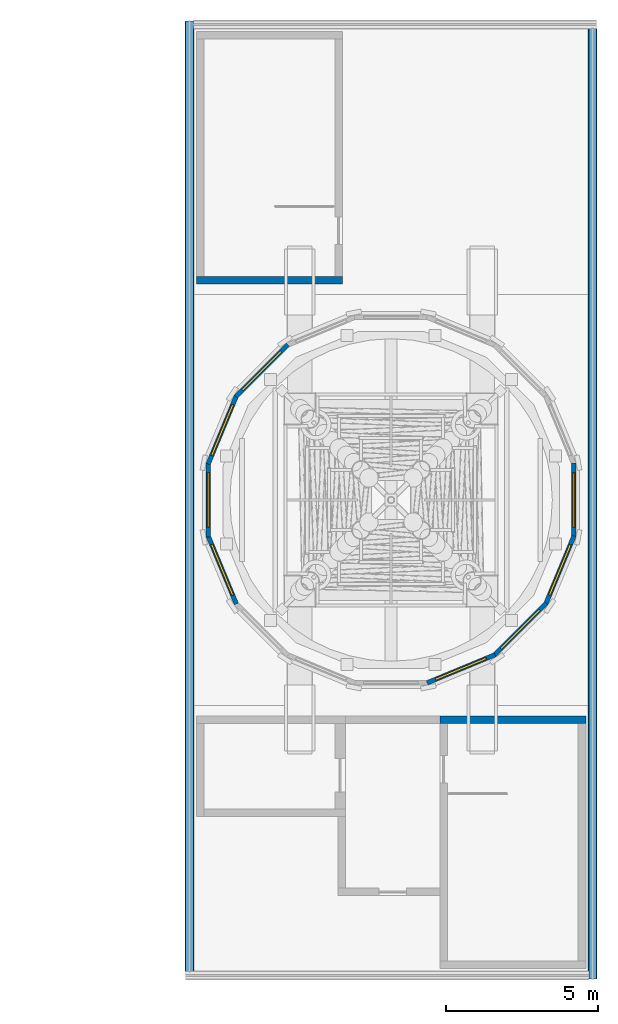
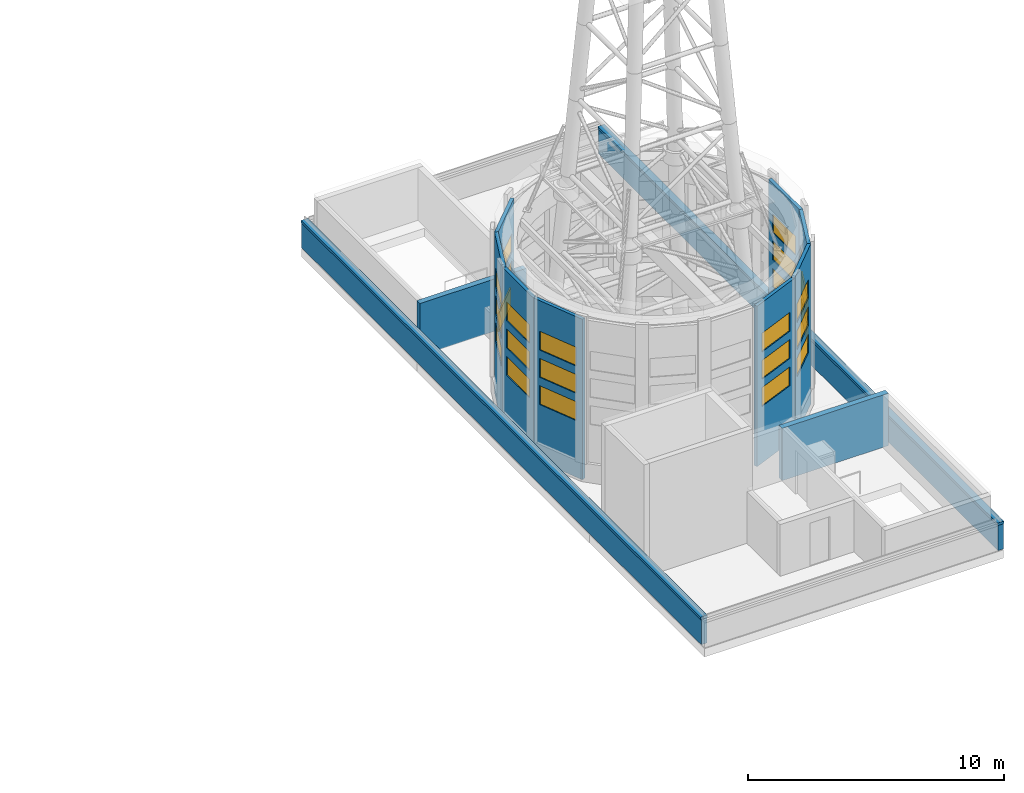
# One storey, part 14 of 36: 24 windows, 14 walls, 24 openings.
"""IFC4 building model written with IfcOpenShell, lengths in metres."""

from ifc_helpers import new_model, si_unit, direction, frame, frame_2d, origin, place, context, subcontext, project, spatial, rectangle, extrude, material, layer, layer_set, type_object, element, fill, save


model = new_model("IFC4")

# Units and contexts
model_context = context("Model", 3, precision=1e-05, world=origin(), true_north=direction((0.0, 1.0)))
body_context = subcontext(model_context, "Body", "Model", "MODEL_VIEW")
ifc_project = project(units=[si_unit("LENGTHUNIT", "METRE"), si_unit("AREAUNIT", "SQUARE_METRE"), si_unit("VOLUMEUNIT", "CUBIC_METRE"), si_unit("PLANEANGLEUNIT", "RADIAN"), si_unit("MASSUNIT", "GRAM", prefix="KILO")], contexts=[model_context])

# Site, building, storey
site_placement = place(None, origin())
site = spatial("IfcSite", under=ifc_project, at=site_placement, CompositionType="ELEMENT")
building_placement = place(site_placement, origin())
building = spatial("IfcBuilding", under=site, at=building_placement, Name="Ipe Terrace Towers", CompositionType="ELEMENT")
storey_placement = place(building_placement, frame((0.0, 0.0, 264.89990234375)))
storey = spatial("IfcBuildingStorey", under=building, at=storey_placement, Name="Roof", CompositionType="ELEMENT", Elevation=264.89990234375)

# Walls
ifc_material_1 = material(Name="Concrete C40/50 with buff precast cladding", Category="concrete")
ifc_layer_1 = layer(ifc_material_1, 0.300048828125)
ifc_layer_set_1 = layer_set([ifc_layer_1], Name="PARAPET COPING 300")
wall_type_1 = type_object("IfcWallType", Name="PARAPET COPING 300", PredefinedType="STANDARD", material=ifc_layer_set_1)
for number, where, z_axis, x_axis, name in (
    (1, (42.625, -15.75, 1.239990234375), (0.0, 0.0, 1.0), (0.0, 1.0, 0.0), "parapet stone coping"),
    (2, (29.375, 15.75, 1.239990234375), (0.0, 0.0, 1.0), (0.0, -1.0, 0.0), "parapet stone coping"),
):
    element("IfcWall", number, at=place(storey_placement, frame(where, z_axis=z_axis, x_axis=x_axis)), inside=storey, type_object=wall_type_1, Name=name, PredefinedType="STANDARD", context=body_context, shape_type="SweptSolid", body=[
        extrude(rectangle(XDim=31.25, YDim=0.300048828125, at=frame_2d((15.625, 0.0))), origin(), (0.0, 0.0, 1.0), 0.1201171875),
    ])
ifc_material_2 = material(Name="Concrete C40/50 with buff precast cladding", Category="concrete")
ifc_layer_2 = layer(ifc_material_2, 0.25)
ifc_layer_set_2 = layer_set([ifc_layer_2], Name="PARAPET WALL 250")
wall_type_2 = type_object("IfcWallType", Name="PARAPET WALL 250", PredefinedType="STANDARD", material=ifc_layer_set_2)
for number, where, z_axis, x_axis, name in (
    (3, (42.625, -15.75, 0.0400390625), (0.0, 0.0, 1.0), (0.0, 1.0, 0.0), "parapet"),
    (4, (29.375, 15.75, 0.0400390625), (0.0, 0.0, 1.0), (0.0, -1.0, 0.0), "parapet"),
):
    element("IfcWall", number, at=place(storey_placement, frame(where, z_axis=z_axis, x_axis=x_axis)), inside=storey, type_object=wall_type_2, Name=name, PredefinedType="STANDARD", context=body_context, shape_type="SweptSolid", body=[
        extrude(rectangle(XDim=31.25, YDim=0.25, at=frame_2d((15.625, 0.0))), origin(), (0.0, 0.0, 1.0), 1.199951171875),
    ])

# Wall, openings, windows
ifc_material_3 = material(Name="Concrete C40/50 with buff precast cladding", Category="concrete")
ifc_layer_3 = layer(ifc_material_3, 0.14990234375)
ifc_layer_set_3 = layer_set([ifc_layer_3], Name="PLANT DRUM WALL 150")
wall_type_3 = type_object("IfcWallType", Name="PLANT DRUM WALL 150", PredefinedType="STANDARD", material=ifc_layer_set_3)
wall_1_placement = place(storey_placement, frame((32.60791015625, 5.10205078125, 0.0400390625), z_axis=(0.0, 0.0, 1.0), x_axis=(-0.707106781187, -0.707106781187, 0.0)))
wall_1 = element("IfcWall", 5, at=wall_1_placement, inside=storey, type_object=wall_type_3, Name="plant drum wall", PredefinedType="STANDARD", context=body_context, shape_type="SweptSolid", body=[
    extrude(rectangle(XDim=2.418212890625, YDim=0.14990234375, at=frame_2d((1.208984375, 0.0))), origin(), (0.0, 0.0, 1.0), 7.66015625),
])
opening_1_placement = place(wall_1_placement, frame((0.31005859375, 0.0, 2.699951171875)))
opening_1 = element("IfcOpeningElement", 6, at=opening_1_placement, cuts=wall_1, Name="Opening T2-W-04-DR-051", PredefinedType="OPENING", context=body_context, shape_type="SweptSolid", body=[
    extrude(rectangle(XDim=1.800048828125, YDim=0.89990234375, at=frame_2d((0.89990234375, 0.449951171875))), frame((0.0, 0.0849609375, 0.0), z_axis=(0.0, -1.0, 0.0), x_axis=(1.0, 0.0, 0.0)), (0.0, 0.0, 1.0), 0.169921875),
])
opening_2_placement = place(wall_1_placement, frame((0.31005859375, 0.0, 4.0)))
opening_2 = element("IfcOpeningElement", 7, at=opening_2_placement, cuts=wall_1, Name="Opening T2-W-04-DR-052", PredefinedType="OPENING", context=body_context, shape_type="SweptSolid", body=[
    extrude(rectangle(XDim=1.800048828125, YDim=0.89990234375, at=frame_2d((0.89990234375, 0.449951171875))), frame((0.0, 0.0849609375, 0.0), z_axis=(0.0, -1.0, 0.0), x_axis=(1.0, 0.0, 0.0)), (0.0, 0.0, 1.0), 0.169921875),
])
opening_3_placement = place(wall_1_placement, frame((0.31005859375, 0.0, 5.300048828125)))
opening_3 = element("IfcOpeningElement", 8, at=opening_3_placement, cuts=wall_1, Name="Opening T2-W-04-DR-053", PredefinedType="OPENING", context=body_context, shape_type="SweptSolid", body=[
    extrude(rectangle(XDim=1.800048828125, YDim=0.89990234375, at=frame_2d((0.89990234375, 0.449951171875))), frame((0.0, 0.0849609375, 0.0), z_axis=(0.0, -1.0, 0.0), x_axis=(1.0, 0.0, 0.0)), (0.0, 0.0, 1.0), 0.169921875),
])
ifc_material_4 = material(Name="Aluminium alloy 6063-T6 louvre", Category="aluminium")
window_type = type_object("IfcWindowType", Name="LOUVRE WINDOW 1800 x 900", PartitioningType="SINGLE_PANEL", PredefinedType="WINDOW", material=ifc_material_4)
window_1_placement = place(opening_1_placement, origin())
window_1 = element("IfcWindow", 9, at=window_1_placement, inside=storey, type_object=window_type, Name="W-04 window", OverallHeight=0.89990234375, OverallWidth=1.800048828125, PartitioningType="SINGLE_PANEL", PredefinedType="WINDOW", context=body_context, shape_type="SweptSolid", body=[
    extrude(rectangle(XDim=1.800048828125, YDim=0.89990234375, at=frame_2d((0.89990234375, 0.449951171875))), frame((0.0, 0.030029296875, 0.0), z_axis=(0.0, -1.0, 0.0), x_axis=(1.0, 0.0, 0.0)), (0.0, 0.0, 1.0), 0.06005859375),
])
fill(opening_1, window_1)
window_2_placement = place(opening_2_placement, origin())
window_2 = element("IfcWindow", 10, at=window_2_placement, inside=storey, type_object=window_type, Name="W-04 window", OverallHeight=0.89990234375, OverallWidth=1.800048828125, PartitioningType="SINGLE_PANEL", PredefinedType="WINDOW", context=body_context, shape_type="SweptSolid", body=[
    extrude(rectangle(XDim=1.800048828125, YDim=0.89990234375, at=frame_2d((0.89990234375, 0.449951171875))), frame((0.0, 0.030029296875, 0.0), z_axis=(0.0, -1.0, 0.0), x_axis=(1.0, 0.0, 0.0)), (0.0, 0.0, 1.0), 0.06005859375),
])
fill(opening_2, window_2)
window_3_placement = place(opening_3_placement, origin())
window_3 = element("IfcWindow", 11, at=window_3_placement, inside=storey, type_object=window_type, Name="W-04 window", OverallHeight=0.89990234375, OverallWidth=1.800048828125, PartitioningType="SINGLE_PANEL", PredefinedType="WINDOW", context=body_context, shape_type="SweptSolid", body=[
    extrude(rectangle(XDim=1.800048828125, YDim=0.89990234375, at=frame_2d((0.89990234375, 0.449951171875))), frame((0.0, 0.030029296875, 0.0), z_axis=(0.0, -1.0, 0.0), x_axis=(1.0, 0.0, 0.0)), (0.0, 0.0, 1.0), 0.06005859375),
])
fill(opening_3, window_3)

wall_2_placement = place(storey_placement, frame((30.9140625, 3.416015625, 0.0400390625), z_axis=(0.0, 0.0, 1.0), x_axis=(-0.382758783979, -0.923848317251, 0.0)))
wall_2 = element("IfcWall", 12, at=wall_2_placement, inside=storey, type_object=wall_type_3, Name="plant drum wall", PredefinedType="STANDARD", context=body_context, shape_type="SweptSolid", body=[
    extrude(rectangle(XDim=2.41943359375, YDim=0.14990234375, at=frame_2d((1.209716796875, 0.0))), origin(), (0.0, 0.0, 1.0), 7.66015625),
])
opening_4_placement = place(wall_2_placement, frame((0.31005859375, 0.0, 2.699951171875)))
opening_4 = element("IfcOpeningElement", 13, at=opening_4_placement, cuts=wall_2, Name="Opening T2-W-04-DR-061", PredefinedType="OPENING", context=body_context, shape_type="SweptSolid", body=[
    extrude(rectangle(XDim=1.800048828125, YDim=0.89990234375, at=frame_2d((0.89990234375, 0.449951171875))), frame((0.0, 0.0849609375, 0.0), z_axis=(0.0, -1.0, 0.0), x_axis=(1.0, 0.0, 0.0)), (0.0, 0.0, 1.0), 0.169921875),
])
opening_5_placement = place(wall_2_placement, frame((0.31005859375, 0.0, 4.0)))
opening_5 = element("IfcOpeningElement", 14, at=opening_5_placement, cuts=wall_2, Name="Opening T2-W-04-DR-062", PredefinedType="OPENING", context=body_context, shape_type="SweptSolid", body=[
    extrude(rectangle(XDim=1.800048828125, YDim=0.89990234375, at=frame_2d((0.89990234375, 0.449951171875))), frame((0.0, 0.0849609375, 0.0), z_axis=(0.0, -1.0, 0.0), x_axis=(1.0, 0.0, 0.0)), (0.0, 0.0, 1.0), 0.169921875),
])
opening_6_placement = place(wall_2_placement, frame((0.31005859375, 0.0, 5.300048828125)))
opening_6 = element("IfcOpeningElement", 15, at=opening_6_placement, cuts=wall_2, Name="Opening T2-W-04-DR-063", PredefinedType="OPENING", context=body_context, shape_type="SweptSolid", body=[
    extrude(rectangle(XDim=1.800048828125, YDim=0.89990234375, at=frame_2d((0.89990234375, 0.449951171875))), frame((0.0, 0.0849609375, 0.0), z_axis=(0.0, -1.0, 0.0), x_axis=(1.0, 0.0, 0.0)), (0.0, 0.0, 1.0), 0.169921875),
])
window_4_placement = place(opening_4_placement, origin())
window_4 = element("IfcWindow", 16, at=window_4_placement, inside=storey, type_object=window_type, Name="W-04 window", OverallHeight=0.89990234375, OverallWidth=1.800048828125, PartitioningType="SINGLE_PANEL", PredefinedType="WINDOW", context=body_context, shape_type="SweptSolid", body=[
    extrude(rectangle(XDim=1.800048828125, YDim=0.89990234375, at=frame_2d((0.89990234375, 0.449951171875))), frame((0.0, 0.030029296875, 0.0), z_axis=(0.0, -1.0, 0.0), x_axis=(1.0, 0.0, 0.0)), (0.0, 0.0, 1.0), 0.06005859375),
])
fill(opening_4, window_4)
window_5_placement = place(opening_5_placement, origin())
window_5 = element("IfcWindow", 17, at=window_5_placement, inside=storey, type_object=window_type, Name="W-04 window", OverallHeight=0.89990234375, OverallWidth=1.800048828125, PartitioningType="SINGLE_PANEL", PredefinedType="WINDOW", context=body_context, shape_type="SweptSolid", body=[
    extrude(rectangle(XDim=1.800048828125, YDim=0.89990234375, at=frame_2d((0.89990234375, 0.449951171875))), frame((0.0, 0.030029296875, 0.0), z_axis=(0.0, -1.0, 0.0), x_axis=(1.0, 0.0, 0.0)), (0.0, 0.0, 1.0), 0.06005859375),
])
fill(opening_5, window_5)
window_6_placement = place(opening_6_placement, origin())
window_6 = element("IfcWindow", 18, at=window_6_placement, inside=storey, type_object=window_type, Name="W-04 window", OverallHeight=0.89990234375, OverallWidth=1.800048828125, PartitioningType="SINGLE_PANEL", PredefinedType="WINDOW", context=body_context, shape_type="SweptSolid", body=[
    extrude(rectangle(XDim=1.800048828125, YDim=0.89990234375, at=frame_2d((0.89990234375, 0.449951171875))), frame((0.0, 0.030029296875, 0.0), z_axis=(0.0, -1.0, 0.0), x_axis=(1.0, 0.0, 0.0)), (0.0, 0.0, 1.0), 0.06005859375),
])
fill(opening_6, window_6)

wall_3_placement = place(storey_placement, frame((29.993896484375, 1.2099609375, 0.0400390625), z_axis=(0.0, 0.0, 1.0), x_axis=(0.0, -1.0, 0.0)))
wall_3 = element("IfcWall", 19, at=wall_3_placement, inside=storey, type_object=wall_type_3, Name="plant drum wall", PredefinedType="STANDARD", context=body_context, shape_type="SweptSolid", body=[
    extrude(rectangle(XDim=2.419921875, YDim=0.14990234375, at=frame_2d((1.2099609375, 0.0))), origin(), (0.0, 0.0, 1.0), 7.66015625),
])
opening_7_placement = place(wall_3_placement, frame((0.31005859375, 0.0, 2.699951171875)))
opening_7 = element("IfcOpeningElement", 20, at=opening_7_placement, cuts=wall_3, Name="Opening T2-W-04-DR-071", PredefinedType="OPENING", context=body_context, shape_type="SweptSolid", body=[
    extrude(rectangle(XDim=1.800048828125, YDim=0.89990234375, at=frame_2d((0.89990234375, 0.449951171875))), frame((0.0, 0.0849609375, 0.0), z_axis=(0.0, -1.0, 0.0), x_axis=(1.0, 0.0, 0.0)), (0.0, 0.0, 1.0), 0.169921875),
])
opening_8_placement = place(wall_3_placement, frame((0.31005859375, 0.0, 4.0)))
opening_8 = element("IfcOpeningElement", 21, at=opening_8_placement, cuts=wall_3, Name="Opening T2-W-04-DR-072", PredefinedType="OPENING", context=body_context, shape_type="SweptSolid", body=[
    extrude(rectangle(XDim=1.800048828125, YDim=0.89990234375, at=frame_2d((0.89990234375, 0.449951171875))), frame((0.0, 0.0849609375, 0.0), z_axis=(0.0, -1.0, 0.0), x_axis=(1.0, 0.0, 0.0)), (0.0, 0.0, 1.0), 0.169921875),
])
opening_9_placement = place(wall_3_placement, frame((0.31005859375, 0.0, 5.300048828125)))
opening_9 = element("IfcOpeningElement", 22, at=opening_9_placement, cuts=wall_3, Name="Opening T2-W-04-DR-073", PredefinedType="OPENING", context=body_context, shape_type="SweptSolid", body=[
    extrude(rectangle(XDim=1.800048828125, YDim=0.89990234375, at=frame_2d((0.89990234375, 0.449951171875))), frame((0.0, 0.0849609375, 0.0), z_axis=(0.0, -1.0, 0.0), x_axis=(1.0, 0.0, 0.0)), (0.0, 0.0, 1.0), 0.169921875),
])
window_7_placement = place(opening_7_placement, origin())
window_7 = element("IfcWindow", 23, at=window_7_placement, inside=storey, type_object=window_type, Name="W-04 window", OverallHeight=0.89990234375, OverallWidth=1.800048828125, PartitioningType="SINGLE_PANEL", PredefinedType="WINDOW", context=body_context, shape_type="SweptSolid", body=[
    extrude(rectangle(XDim=1.800048828125, YDim=0.89990234375, at=frame_2d((0.89990234375, 0.449951171875))), frame((0.0, 0.030029296875, 0.0), z_axis=(0.0, -1.0, 0.0), x_axis=(1.0, 0.0, 0.0)), (0.0, 0.0, 1.0), 0.06005859375),
])
fill(opening_7, window_7)
window_8_placement = place(opening_8_placement, origin())
window_8 = element("IfcWindow", 24, at=window_8_placement, inside=storey, type_object=window_type, Name="W-04 window", OverallHeight=0.89990234375, OverallWidth=1.800048828125, PartitioningType="SINGLE_PANEL", PredefinedType="WINDOW", context=body_context, shape_type="SweptSolid", body=[
    extrude(rectangle(XDim=1.800048828125, YDim=0.89990234375, at=frame_2d((0.89990234375, 0.449951171875))), frame((0.0, 0.030029296875, 0.0), z_axis=(0.0, -1.0, 0.0), x_axis=(1.0, 0.0, 0.0)), (0.0, 0.0, 1.0), 0.06005859375),
])
fill(opening_8, window_8)
window_9_placement = place(opening_9_placement, origin())
window_9 = element("IfcWindow", 25, at=window_9_placement, inside=storey, type_object=window_type, Name="W-04 window", OverallHeight=0.89990234375, OverallWidth=1.800048828125, PartitioningType="SINGLE_PANEL", PredefinedType="WINDOW", context=body_context, shape_type="SweptSolid", body=[
    extrude(rectangle(XDim=1.800048828125, YDim=0.89990234375, at=frame_2d((0.89990234375, 0.449951171875))), frame((0.0, 0.030029296875, 0.0), z_axis=(0.0, -1.0, 0.0), x_axis=(1.0, 0.0, 0.0)), (0.0, 0.0, 1.0), 0.06005859375),
])
fill(opening_9, window_9)

wall_4_placement = place(storey_placement, frame((29.988037109375, -1.180908203125, 0.0400390625), z_axis=(0.0, 0.0, 1.0), x_axis=(0.382758783979, -0.923848317251, 0.0)))
wall_4 = element("IfcWall", 26, at=wall_4_placement, inside=storey, type_object=wall_type_3, Name="plant drum wall", PredefinedType="STANDARD", context=body_context, shape_type="SweptSolid", body=[
    extrude(rectangle(XDim=2.41943359375, YDim=0.14990234375, at=frame_2d((1.209716796875, 0.0))), origin(), (0.0, 0.0, 1.0), 7.66015625),
])
opening_10_placement = place(wall_4_placement, frame((0.31005859375, 0.0, 2.699951171875)))
opening_10 = element("IfcOpeningElement", 27, at=opening_10_placement, cuts=wall_4, Name="Opening T2-W-04-DR-081", PredefinedType="OPENING", context=body_context, shape_type="SweptSolid", body=[
    extrude(rectangle(XDim=1.800048828125, YDim=0.89990234375, at=frame_2d((0.89990234375, 0.449951171875))), frame((0.0, 0.0849609375, 0.0), z_axis=(0.0, -1.0, 0.0), x_axis=(1.0, 0.0, 0.0)), (0.0, 0.0, 1.0), 0.169921875),
])
opening_11_placement = place(wall_4_placement, frame((0.31005859375, 0.0, 4.0)))
opening_11 = element("IfcOpeningElement", 28, at=opening_11_placement, cuts=wall_4, Name="Opening T2-W-04-DR-082", PredefinedType="OPENING", context=body_context, shape_type="SweptSolid", body=[
    extrude(rectangle(XDim=1.800048828125, YDim=0.89990234375, at=frame_2d((0.89990234375, 0.449951171875))), frame((0.0, 0.0849609375, 0.0), z_axis=(0.0, -1.0, 0.0), x_axis=(1.0, 0.0, 0.0)), (0.0, 0.0, 1.0), 0.169921875),
])
opening_12_placement = place(wall_4_placement, frame((0.31005859375, 0.0, 5.300048828125)))
opening_12 = element("IfcOpeningElement", 29, at=opening_12_placement, cuts=wall_4, Name="Opening T2-W-04-DR-083", PredefinedType="OPENING", context=body_context, shape_type="SweptSolid", body=[
    extrude(rectangle(XDim=1.800048828125, YDim=0.89990234375, at=frame_2d((0.89990234375, 0.449951171875))), frame((0.0, 0.0849609375, 0.0), z_axis=(0.0, -1.0, 0.0), x_axis=(1.0, 0.0, 0.0)), (0.0, 0.0, 1.0), 0.169921875),
])
window_10_placement = place(opening_10_placement, origin())
window_10 = element("IfcWindow", 30, at=window_10_placement, inside=storey, type_object=window_type, Name="W-04 window", OverallHeight=0.89990234375, OverallWidth=1.800048828125, PartitioningType="SINGLE_PANEL", PredefinedType="WINDOW", context=body_context, shape_type="SweptSolid", body=[
    extrude(rectangle(XDim=1.800048828125, YDim=0.89990234375, at=frame_2d((0.89990234375, 0.449951171875))), frame((0.0, 0.030029296875, 0.0), z_axis=(0.0, -1.0, 0.0), x_axis=(1.0, 0.0, 0.0)), (0.0, 0.0, 1.0), 0.06005859375),
])
fill(opening_10, window_10)
window_11_placement = place(opening_11_placement, origin())
window_11 = element("IfcWindow", 31, at=window_11_placement, inside=storey, type_object=window_type, Name="W-04 window", OverallHeight=0.89990234375, OverallWidth=1.800048828125, PartitioningType="SINGLE_PANEL", PredefinedType="WINDOW", context=body_context, shape_type="SweptSolid", body=[
    extrude(rectangle(XDim=1.800048828125, YDim=0.89990234375, at=frame_2d((0.89990234375, 0.449951171875))), frame((0.0, 0.030029296875, 0.0), z_axis=(0.0, -1.0, 0.0), x_axis=(1.0, 0.0, 0.0)), (0.0, 0.0, 1.0), 0.06005859375),
])
fill(opening_11, window_11)
window_12_placement = place(opening_12_placement, origin())
window_12 = element("IfcWindow", 32, at=window_12_placement, inside=storey, type_object=window_type, Name="W-04 window", OverallHeight=0.89990234375, OverallWidth=1.800048828125, PartitioningType="SINGLE_PANEL", PredefinedType="WINDOW", context=body_context, shape_type="SweptSolid", body=[
    extrude(rectangle(XDim=1.800048828125, YDim=0.89990234375, at=frame_2d((0.89990234375, 0.449951171875))), frame((0.0, 0.030029296875, 0.0), z_axis=(0.0, -1.0, 0.0), x_axis=(1.0, 0.0, 0.0)), (0.0, 0.0, 1.0), 0.06005859375),
])
fill(opening_12, window_12)

wall_5_placement = place(storey_placement, frame((37.180908203125, -6.011962890625, 0.0400390625), z_axis=(0.0, 0.0, 1.0), x_axis=(0.923848317251, 0.382758783979, 0.0)))
wall_5 = element("IfcWall", 33, at=wall_5_placement, inside=storey, type_object=wall_type_3, Name="plant drum wall", PredefinedType="STANDARD", context=body_context, shape_type="SweptSolid", body=[
    extrude(rectangle(XDim=2.41943359375, YDim=0.14990234375, at=frame_2d((1.209716796875, 0.0))), origin(), (0.0, 0.0, 1.0), 7.66015625),
])
opening_13_placement = place(wall_5_placement, frame((0.31005859375, 0.0, 2.699951171875)))
opening_13 = element("IfcOpeningElement", 34, at=opening_13_placement, cuts=wall_5, Name="Opening T2-W-04-DR-121", PredefinedType="OPENING", context=body_context, shape_type="SweptSolid", body=[
    extrude(rectangle(XDim=1.800048828125, YDim=0.89990234375, at=frame_2d((0.89990234375, 0.449951171875))), frame((0.0, 0.0849609375, 0.0), z_axis=(0.0, -1.0, 0.0), x_axis=(1.0, 0.0, 0.0)), (0.0, 0.0, 1.0), 0.169921875),
])
opening_14_placement = place(wall_5_placement, frame((0.31005859375, 0.0, 4.0)))
opening_14 = element("IfcOpeningElement", 35, at=opening_14_placement, cuts=wall_5, Name="Opening T2-W-04-DR-122", PredefinedType="OPENING", context=body_context, shape_type="SweptSolid", body=[
    extrude(rectangle(XDim=1.800048828125, YDim=0.89990234375, at=frame_2d((0.89990234375, 0.449951171875))), frame((0.0, 0.0849609375, 0.0), z_axis=(0.0, -1.0, 0.0), x_axis=(1.0, 0.0, 0.0)), (0.0, 0.0, 1.0), 0.169921875),
])
opening_15_placement = place(wall_5_placement, frame((0.31005859375, 0.0, 5.300048828125)))
opening_15 = element("IfcOpeningElement", 36, at=opening_15_placement, cuts=wall_5, Name="Opening T2-W-04-DR-123", PredefinedType="OPENING", context=body_context, shape_type="SweptSolid", body=[
    extrude(rectangle(XDim=1.800048828125, YDim=0.89990234375, at=frame_2d((0.89990234375, 0.449951171875))), frame((0.0, 0.0849609375, 0.0), z_axis=(0.0, -1.0, 0.0), x_axis=(1.0, 0.0, 0.0)), (0.0, 0.0, 1.0), 0.169921875),
])
window_13_placement = place(opening_13_placement, origin())
window_13 = element("IfcWindow", 37, at=window_13_placement, inside=storey, type_object=window_type, Name="W-04 window", OverallHeight=0.89990234375, OverallWidth=1.800048828125, PartitioningType="SINGLE_PANEL", PredefinedType="WINDOW", context=body_context, shape_type="SweptSolid", body=[
    extrude(rectangle(XDim=1.800048828125, YDim=0.89990234375, at=frame_2d((0.89990234375, 0.449951171875))), frame((0.0, 0.030029296875, 0.0), z_axis=(0.0, -1.0, 0.0), x_axis=(1.0, 0.0, 0.0)), (0.0, 0.0, 1.0), 0.06005859375),
])
fill(opening_13, window_13)
window_14_placement = place(opening_14_placement, origin())
window_14 = element("IfcWindow", 38, at=window_14_placement, inside=storey, type_object=window_type, Name="W-04 window", OverallHeight=0.89990234375, OverallWidth=1.800048828125, PartitioningType="SINGLE_PANEL", PredefinedType="WINDOW", context=body_context, shape_type="SweptSolid", body=[
    extrude(rectangle(XDim=1.800048828125, YDim=0.89990234375, at=frame_2d((0.89990234375, 0.449951171875))), frame((0.0, 0.030029296875, 0.0), z_axis=(0.0, -1.0, 0.0), x_axis=(1.0, 0.0, 0.0)), (0.0, 0.0, 1.0), 0.06005859375),
])
fill(opening_14, window_14)
window_15_placement = place(opening_15_placement, origin())
window_15 = element("IfcWindow", 39, at=window_15_placement, inside=storey, type_object=window_type, Name="W-04 window", OverallHeight=0.89990234375, OverallWidth=1.800048828125, PartitioningType="SINGLE_PANEL", PredefinedType="WINDOW", context=body_context, shape_type="SweptSolid", body=[
    extrude(rectangle(XDim=1.800048828125, YDim=0.89990234375, at=frame_2d((0.89990234375, 0.449951171875))), frame((0.0, 0.030029296875, 0.0), z_axis=(0.0, -1.0, 0.0), x_axis=(1.0, 0.0, 0.0)), (0.0, 0.0, 1.0), 0.06005859375),
])
fill(opening_15, window_15)

wall_6_placement = place(storey_placement, frame((39.39208984375, -5.10205078125, 0.0400390625), z_axis=(0.0, 0.0, 1.0), x_axis=(0.707106781187, 0.707106781187, 0.0)))
wall_6 = element("IfcWall", 40, at=wall_6_placement, inside=storey, type_object=wall_type_3, Name="plant drum wall", PredefinedType="STANDARD", context=body_context, shape_type="SweptSolid", body=[
    extrude(rectangle(XDim=2.418212890625, YDim=0.14990234375, at=frame_2d((1.208984375, 0.0))), origin(), (0.0, 0.0, 1.0), 7.66015625),
])
opening_16_placement = place(wall_6_placement, frame((0.31005859375, 0.0, 2.699951171875)))
opening_16 = element("IfcOpeningElement", 41, at=opening_16_placement, cuts=wall_6, Name="Opening T2-W-04-DR-131", PredefinedType="OPENING", context=body_context, shape_type="SweptSolid", body=[
    extrude(rectangle(XDim=1.800048828125, YDim=0.89990234375, at=frame_2d((0.89990234375, 0.449951171875))), frame((0.0, 0.0849609375, 0.0), z_axis=(0.0, -1.0, 0.0), x_axis=(1.0, 0.0, 0.0)), (0.0, 0.0, 1.0), 0.169921875),
])
opening_17_placement = place(wall_6_placement, frame((0.31005859375, 0.0, 4.0)))
opening_17 = element("IfcOpeningElement", 42, at=opening_17_placement, cuts=wall_6, Name="Opening T2-W-04-DR-132", PredefinedType="OPENING", context=body_context, shape_type="SweptSolid", body=[
    extrude(rectangle(XDim=1.800048828125, YDim=0.89990234375, at=frame_2d((0.89990234375, 0.449951171875))), frame((0.0, 0.0849609375, 0.0), z_axis=(0.0, -1.0, 0.0), x_axis=(1.0, 0.0, 0.0)), (0.0, 0.0, 1.0), 0.169921875),
])
opening_18_placement = place(wall_6_placement, frame((0.31005859375, 0.0, 5.300048828125)))
opening_18 = element("IfcOpeningElement", 43, at=opening_18_placement, cuts=wall_6, Name="Opening T2-W-04-DR-133", PredefinedType="OPENING", context=body_context, shape_type="SweptSolid", body=[
    extrude(rectangle(XDim=1.800048828125, YDim=0.89990234375, at=frame_2d((0.89990234375, 0.449951171875))), frame((0.0, 0.0849609375, 0.0), z_axis=(0.0, -1.0, 0.0), x_axis=(1.0, 0.0, 0.0)), (0.0, 0.0, 1.0), 0.169921875),
])
window_16_placement = place(opening_16_placement, origin())
window_16 = element("IfcWindow", 44, at=window_16_placement, inside=storey, type_object=window_type, Name="W-04 window", OverallHeight=0.89990234375, OverallWidth=1.800048828125, PartitioningType="SINGLE_PANEL", PredefinedType="WINDOW", context=body_context, shape_type="SweptSolid", body=[
    extrude(rectangle(XDim=1.800048828125, YDim=0.89990234375, at=frame_2d((0.89990234375, 0.449951171875))), frame((0.0, 0.030029296875, 0.0), z_axis=(0.0, -1.0, 0.0), x_axis=(1.0, 0.0, 0.0)), (0.0, 0.0, 1.0), 0.06005859375),
])
fill(opening_16, window_16)
window_17_placement = place(opening_17_placement, origin())
window_17 = element("IfcWindow", 45, at=window_17_placement, inside=storey, type_object=window_type, Name="W-04 window", OverallHeight=0.89990234375, OverallWidth=1.800048828125, PartitioningType="SINGLE_PANEL", PredefinedType="WINDOW", context=body_context, shape_type="SweptSolid", body=[
    extrude(rectangle(XDim=1.800048828125, YDim=0.89990234375, at=frame_2d((0.89990234375, 0.449951171875))), frame((0.0, 0.030029296875, 0.0), z_axis=(0.0, -1.0, 0.0), x_axis=(1.0, 0.0, 0.0)), (0.0, 0.0, 1.0), 0.06005859375),
])
fill(opening_17, window_17)
window_18_placement = place(opening_18_placement, origin())
window_18 = element("IfcWindow", 46, at=window_18_placement, inside=storey, type_object=window_type, Name="W-04 window", OverallHeight=0.89990234375, OverallWidth=1.800048828125, PartitioningType="SINGLE_PANEL", PredefinedType="WINDOW", context=body_context, shape_type="SweptSolid", body=[
    extrude(rectangle(XDim=1.800048828125, YDim=0.89990234375, at=frame_2d((0.89990234375, 0.449951171875))), frame((0.0, 0.030029296875, 0.0), z_axis=(0.0, -1.0, 0.0), x_axis=(1.0, 0.0, 0.0)), (0.0, 0.0, 1.0), 0.06005859375),
])
fill(opening_18, window_18)

wall_7_placement = place(storey_placement, frame((41.0859375, -3.416015625, 0.0400390625), z_axis=(0.0, 0.0, 1.0), x_axis=(0.382758783979, 0.923848317251, 0.0)))
wall_7 = element("IfcWall", 47, at=wall_7_placement, inside=storey, type_object=wall_type_3, Name="plant drum wall", PredefinedType="STANDARD", context=body_context, shape_type="SweptSolid", body=[
    extrude(rectangle(XDim=2.41943359375, YDim=0.14990234375, at=frame_2d((1.209716796875, 0.0))), origin(), (0.0, 0.0, 1.0), 7.66015625),
])
opening_19_placement = place(wall_7_placement, frame((0.31005859375, 0.0, 2.699951171875)))
opening_19 = element("IfcOpeningElement", 48, at=opening_19_placement, cuts=wall_7, Name="Opening T2-W-04-DR-141", PredefinedType="OPENING", context=body_context, shape_type="SweptSolid", body=[
    extrude(rectangle(XDim=1.800048828125, YDim=0.89990234375, at=frame_2d((0.89990234375, 0.449951171875))), frame((0.0, 0.0849609375, 0.0), z_axis=(0.0, -1.0, 0.0), x_axis=(1.0, 0.0, 0.0)), (0.0, 0.0, 1.0), 0.169921875),
])
opening_20_placement = place(wall_7_placement, frame((0.31005859375, 0.0, 4.0)))
opening_20 = element("IfcOpeningElement", 49, at=opening_20_placement, cuts=wall_7, Name="Opening T2-W-04-DR-142", PredefinedType="OPENING", context=body_context, shape_type="SweptSolid", body=[
    extrude(rectangle(XDim=1.800048828125, YDim=0.89990234375, at=frame_2d((0.89990234375, 0.449951171875))), frame((0.0, 0.0849609375, 0.0), z_axis=(0.0, -1.0, 0.0), x_axis=(1.0, 0.0, 0.0)), (0.0, 0.0, 1.0), 0.169921875),
])
opening_21_placement = place(wall_7_placement, frame((0.31005859375, 0.0, 5.300048828125)))
opening_21 = element("IfcOpeningElement", 50, at=opening_21_placement, cuts=wall_7, Name="Opening T2-W-04-DR-143", PredefinedType="OPENING", context=body_context, shape_type="SweptSolid", body=[
    extrude(rectangle(XDim=1.800048828125, YDim=0.89990234375, at=frame_2d((0.89990234375, 0.449951171875))), frame((0.0, 0.0849609375, 0.0), z_axis=(0.0, -1.0, 0.0), x_axis=(1.0, 0.0, 0.0)), (0.0, 0.0, 1.0), 0.169921875),
])
window_19_placement = place(opening_19_placement, origin())
window_19 = element("IfcWindow", 51, at=window_19_placement, inside=storey, type_object=window_type, Name="W-04 window", OverallHeight=0.89990234375, OverallWidth=1.800048828125, PartitioningType="SINGLE_PANEL", PredefinedType="WINDOW", context=body_context, shape_type="SweptSolid", body=[
    extrude(rectangle(XDim=1.800048828125, YDim=0.89990234375, at=frame_2d((0.89990234375, 0.449951171875))), frame((0.0, 0.030029296875, 0.0), z_axis=(0.0, -1.0, 0.0), x_axis=(1.0, 0.0, 0.0)), (0.0, 0.0, 1.0), 0.06005859375),
])
fill(opening_19, window_19)
window_20_placement = place(opening_20_placement, origin())
window_20 = element("IfcWindow", 52, at=window_20_placement, inside=storey, type_object=window_type, Name="W-04 window", OverallHeight=0.89990234375, OverallWidth=1.800048828125, PartitioningType="SINGLE_PANEL", PredefinedType="WINDOW", context=body_context, shape_type="SweptSolid", body=[
    extrude(rectangle(XDim=1.800048828125, YDim=0.89990234375, at=frame_2d((0.89990234375, 0.449951171875))), frame((0.0, 0.030029296875, 0.0), z_axis=(0.0, -1.0, 0.0), x_axis=(1.0, 0.0, 0.0)), (0.0, 0.0, 1.0), 0.06005859375),
])
fill(opening_20, window_20)
window_21_placement = place(opening_21_placement, origin())
window_21 = element("IfcWindow", 53, at=window_21_placement, inside=storey, type_object=window_type, Name="W-04 window", OverallHeight=0.89990234375, OverallWidth=1.800048828125, PartitioningType="SINGLE_PANEL", PredefinedType="WINDOW", context=body_context, shape_type="SweptSolid", body=[
    extrude(rectangle(XDim=1.800048828125, YDim=0.89990234375, at=frame_2d((0.89990234375, 0.449951171875))), frame((0.0, 0.030029296875, 0.0), z_axis=(0.0, -1.0, 0.0), x_axis=(1.0, 0.0, 0.0)), (0.0, 0.0, 1.0), 0.06005859375),
])
fill(opening_21, window_21)

wall_8_placement = place(storey_placement, frame((42.006103515625, -1.2099609375, 0.0400390625), z_axis=(0.0, 0.0, 1.0), x_axis=(0.0, 1.0, 0.0)))
wall_8 = element("IfcWall", 54, at=wall_8_placement, inside=storey, type_object=wall_type_3, Name="plant drum wall", PredefinedType="STANDARD", context=body_context, shape_type="SweptSolid", body=[
    extrude(rectangle(XDim=2.419921875, YDim=0.14990234375, at=frame_2d((1.2099609375, 0.0))), origin(), (0.0, 0.0, 1.0), 7.66015625),
])
opening_22_placement = place(wall_8_placement, frame((0.31005859375, 0.0, 2.699951171875)))
opening_22 = element("IfcOpeningElement", 55, at=opening_22_placement, cuts=wall_8, Name="Opening T2-W-04-DR-151", PredefinedType="OPENING", context=body_context, shape_type="SweptSolid", body=[
    extrude(rectangle(XDim=1.800048828125, YDim=0.89990234375, at=frame_2d((0.89990234375, 0.449951171875))), frame((0.0, 0.0849609375, 0.0), z_axis=(0.0, -1.0, 0.0), x_axis=(1.0, 0.0, 0.0)), (0.0, 0.0, 1.0), 0.169921875),
])
opening_23_placement = place(wall_8_placement, frame((0.31005859375, 0.0, 4.0)))
opening_23 = element("IfcOpeningElement", 56, at=opening_23_placement, cuts=wall_8, Name="Opening T2-W-04-DR-152", PredefinedType="OPENING", context=body_context, shape_type="SweptSolid", body=[
    extrude(rectangle(XDim=1.800048828125, YDim=0.89990234375, at=frame_2d((0.89990234375, 0.449951171875))), frame((0.0, 0.0849609375, 0.0), z_axis=(0.0, -1.0, 0.0), x_axis=(1.0, 0.0, 0.0)), (0.0, 0.0, 1.0), 0.169921875),
])
opening_24_placement = place(wall_8_placement, frame((0.31005859375, 0.0, 5.300048828125)))
opening_24 = element("IfcOpeningElement", 57, at=opening_24_placement, cuts=wall_8, Name="Opening T2-W-04-DR-153", PredefinedType="OPENING", context=body_context, shape_type="SweptSolid", body=[
    extrude(rectangle(XDim=1.800048828125, YDim=0.89990234375, at=frame_2d((0.89990234375, 0.449951171875))), frame((0.0, 0.0849609375, 0.0), z_axis=(0.0, -1.0, 0.0), x_axis=(1.0, 0.0, 0.0)), (0.0, 0.0, 1.0), 0.169921875),
])
window_22_placement = place(opening_22_placement, origin())
window_22 = element("IfcWindow", 58, at=window_22_placement, inside=storey, type_object=window_type, Name="W-04 window", OverallHeight=0.89990234375, OverallWidth=1.800048828125, PartitioningType="SINGLE_PANEL", PredefinedType="WINDOW", context=body_context, shape_type="SweptSolid", body=[
    extrude(rectangle(XDim=1.800048828125, YDim=0.89990234375, at=frame_2d((0.89990234375, 0.449951171875))), frame((0.0, 0.030029296875, 0.0), z_axis=(0.0, -1.0, 0.0), x_axis=(1.0, 0.0, 0.0)), (0.0, 0.0, 1.0), 0.06005859375),
])
fill(opening_22, window_22)
window_23_placement = place(opening_23_placement, origin())
window_23 = element("IfcWindow", 59, at=window_23_placement, inside=storey, type_object=window_type, Name="W-04 window", OverallHeight=0.89990234375, OverallWidth=1.800048828125, PartitioningType="SINGLE_PANEL", PredefinedType="WINDOW", context=body_context, shape_type="SweptSolid", body=[
    extrude(rectangle(XDim=1.800048828125, YDim=0.89990234375, at=frame_2d((0.89990234375, 0.449951171875))), frame((0.0, 0.030029296875, 0.0), z_axis=(0.0, -1.0, 0.0), x_axis=(1.0, 0.0, 0.0)), (0.0, 0.0, 1.0), 0.06005859375),
])
fill(opening_23, window_23)
window_24_placement = place(opening_24_placement, origin())
window_24 = element("IfcWindow", 60, at=window_24_placement, inside=storey, type_object=window_type, Name="W-04 window", OverallHeight=0.89990234375, OverallWidth=1.800048828125, PartitioningType="SINGLE_PANEL", PredefinedType="WINDOW", context=body_context, shape_type="SweptSolid", body=[
    extrude(rectangle(XDim=1.800048828125, YDim=0.89990234375, at=frame_2d((0.89990234375, 0.449951171875))), frame((0.0, 0.030029296875, 0.0), z_axis=(0.0, -1.0, 0.0), x_axis=(1.0, 0.0, 0.0)), (0.0, 0.0, 1.0), 0.06005859375),
])
fill(opening_24, window_24)

# Walls
ifc_material_5 = material(Name="Concrete C40/50", Category="concrete")
ifc_layer_4 = layer(ifc_material_5, 0.25)
ifc_layer_set_4 = layer_set([ifc_layer_4], Name="RW250 STAIR HEAD-HOUSE WALL 250 C40-50")
wall_type_4 = type_object("IfcWallType", Name="RW250 STAIR HEAD-HOUSE WALL 250 C40-50", PredefinedType="SHEAR", material=ifc_layer_set_4)
for number, where, z_axis, x_axis, name in (
    (61, (34.39990234375, 7.22509765625, 0.0), (0.0, 0.0, 1.0), (-1.0, 0.0, 0.0), "Stair head-house wall T2-C1-near"),
    (62, (37.60009765625, -7.22509765625, 0.0), (0.0, 0.0, 1.0), (1.0, 0.0, 0.0), "Stair head-house wall T2-C2-near"),
):
    element("IfcWall", number, at=place(storey_placement, frame(where, z_axis=z_axis, x_axis=x_axis)), inside=storey, type_object=wall_type_4, Name=name, PredefinedType="SHEAR", context=body_context, shape_type="SweptSolid", body=[
        extrude(rectangle(XDim=4.7998046875, YDim=0.25, at=frame_2d((2.39990234375, 0.0))), origin(), (0.0, 0.0, 1.0), 2.5),
    ])

save(model, "model.ifc")
